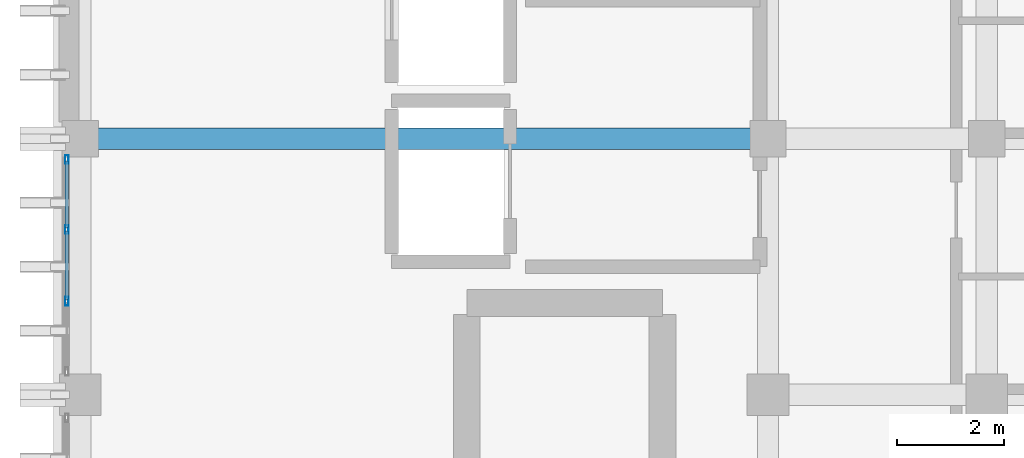
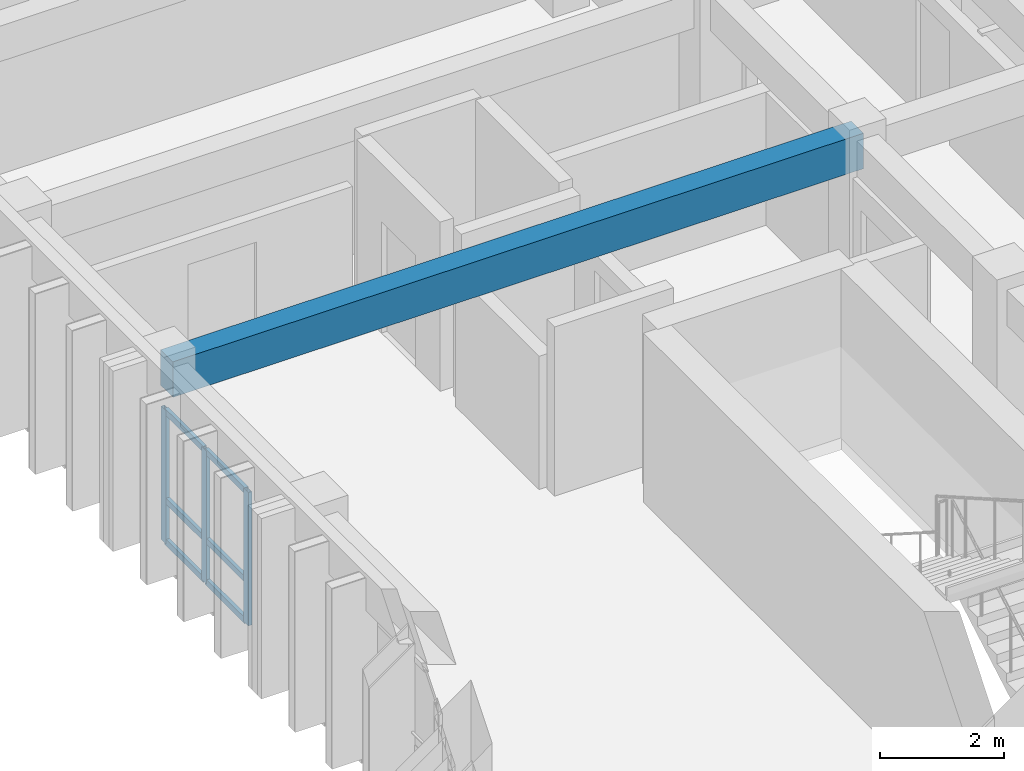
# One storey, part 34 of 68: 9 members, 1 beam, 1 element without a shape of its own.
"""IFC4 building model written with IfcOpenShell, lengths in metres."""

from ifc_helpers import new_model, si_unit, direction, frame, origin, origin_2d, place, context, subcontext, project, spatial, rectangle, hollow_rectangle, extrude, material, layer, layer_set, material_profile, profile_set, type_object, element, aggregate, save


model = new_model("IFC4")

# Units and contexts
model_context = context("Model", 3, precision=1e-05, world=origin(), true_north=direction((0.0, 1.0)))
body_context = subcontext(model_context, "Body", "Model", "MODEL_VIEW")
ifc_project = project(units=[si_unit("LENGTHUNIT", "METRE"), si_unit("AREAUNIT", "SQUARE_METRE"), si_unit("VOLUMEUNIT", "CUBIC_METRE"), si_unit("PLANEANGLEUNIT", "RADIAN"), si_unit("MASSUNIT", "GRAM", prefix="KILO")], contexts=[model_context])

# Site, building, storey
site_placement = place(None, origin())
site = spatial("IfcSite", under=ifc_project, at=site_placement, CompositionType="ELEMENT")
building_placement = place(site_placement, origin())
building = spatial("IfcBuilding", under=site, at=building_placement, Name="Nakhvara Creek Congress Hotel", CompositionType="ELEMENT")
storey_placement = place(building_placement, frame((0.0, 0.0, 24.60009765625)))
storey = spatial("IfcBuildingStorey", under=building, at=storey_placement, Name="L05", CompositionType="ELEMENT", Elevation=24.60009765625)

# Beam
ifc_material_1 = material(Name="Concrete C40/50", Category="concrete")
ifc_material_profile_1 = material_profile(ifc_material_1, rectangle(XDim=0.39990234375, YDim=0.699951171875, at=origin_2d()), Name="RC-BM 400x700", Category="LoadBearing")
ifc_profile_set_1 = profile_set([ifc_material_profile_1], Name="Concrete C40/50")
beam_type = type_object("IfcBeamType", Name="BM-RC-400X700", PredefinedType="BEAM", material=ifc_profile_set_1)
beam_placement = place(storey_placement, frame((149.449951171875, 91.199951171875, 2.989990234375), z_axis=(1.0, 0.0, 0.0), x_axis=(0.0, 1.0, 0.0)))
element("IfcBeam", 1, at=beam_placement, inside=storey, type_object=beam_type, Name="Beam B05-L05-2172", PredefinedType="BEAM", context=body_context, shape_type="SweptSolid", body=[
    extrude(rectangle(XDim=0.39990234375, YDim=0.699951171875, at=origin_2d()), origin(), (0.0, 0.0, 1.0), 12.900146484375),
])

# Curtain wall, members
ifc_material_2 = material(Name="Bronze-anodised aluminium AW-6063-T6 and double-silver low-E glass", Category="aluminium")
ifc_layer = layer(ifc_material_2, 0.199951171875)
ifc_layer_set = layer_set([ifc_layer], Name="Bronze-anodised aluminium AW-6063-T6 and double-silver low-E glass")
curtain_wall_type = type_object("IfcCurtainWallType", Name="CW-HTL-UNIT", PredefinedType="USERDEFINED", material=ifc_layer_set)
curtain_wall_placement = place(storey_placement, origin())
curtain_wall = element("IfcCurtainWall", 2, at=curtain_wall_placement, inside=storey, type_object=curtain_wall_type, Name="Curtain Wall CW219", ObjectType="UNITISED", PredefinedType="USERDEFINED")
ifc_material_3 = material(Name="Bronze-anodised aluminium AW-6063-T6", Category="aluminium")
ifc_material_profile_2 = material_profile(ifc_material_3, hollow_rectangle(XDim=0.06494140625, YDim=0.159912109375, WallThickness=0.00390625, at=origin_2d()), Name="ALU-MULL 65x160x4", Category="LoadBearing")
ifc_profile_set_2 = profile_set([ifc_material_profile_2], Name="Bronze-anodised aluminium AW-6063-T6")
member_type_1 = type_object("IfcMemberType", Name="CW-MULL-160", PredefinedType="MULLION", material=ifc_profile_set_2)
member_1_placement = place(storey_placement, frame((149.199951171875, 88.151611328125, 0.0), z_axis=(0.0, 0.0, 1.0), x_axis=(-1.0, 0.0, 0.0)))
member_1 = element("IfcMember", 3, at=member_1_placement, type_object=member_type_1, Name="CW219 mullion 2", PredefinedType="MULLION", context=body_context, shape_type="SweptSolid", body=[
    extrude(hollow_rectangle(XDim=0.06494140625, YDim=0.159912109375, WallThickness=0.00390625, at=origin_2d()), origin(), (0.0, 0.0, 1.0), 2.6318359375),
])
member_2_placement = place(storey_placement, frame((149.199951171875, 89.498291015625, 0.0), z_axis=(0.0, 0.0, 1.0), x_axis=(-1.0, 0.0, 0.0)))
member_2 = element("IfcMember", 4, at=member_2_placement, type_object=member_type_1, Name="CW219 mullion 3", PredefinedType="MULLION", context=body_context, shape_type="SweptSolid", body=[
    extrude(hollow_rectangle(XDim=0.06494140625, YDim=0.159912109375, WallThickness=0.00390625, at=origin_2d()), origin(), (0.0, 0.0, 1.0), 2.6318359375),
])
member_3_placement = place(storey_placement, frame((149.199951171875, 90.8125, 0.0), z_axis=(0.0, 0.0, 1.0), x_axis=(-1.0, 0.0, 0.0)))
member_3 = element("IfcMember", 5, at=member_3_placement, type_object=member_type_1, Name="CW219 mullion 4", PredefinedType="MULLION", context=body_context, shape_type="SweptSolid", body=[
    extrude(hollow_rectangle(XDim=0.06494140625, YDim=0.159912109375, WallThickness=0.00390625, at=origin_2d()), origin(), (0.0, 0.0, 1.0), 2.6318359375),
])
ifc_material_profile_3 = material_profile(ifc_material_3, hollow_rectangle(XDim=0.06494140625, YDim=0.1201171875, WallThickness=0.00390625, at=origin_2d()), Name="ALU-TRAN 65x120x4", Category="LoadBearing")
ifc_profile_set_3 = profile_set([ifc_material_profile_3], Name="Bronze-anodised aluminium AW-6063-T6")
member_type_2 = type_object("IfcMemberType", Name="CW-TRAN-120", PredefinedType="USERDEFINED", material=ifc_profile_set_3)
member_4_placement = place(storey_placement, frame((149.199951171875, 88.18408203125, 0.032470703125), z_axis=(0.0, 1.0, 0.0), x_axis=(-1.0, 0.0, 0.0)))
member_4 = element("IfcMember", 6, at=member_4_placement, type_object=member_type_2, Name="CW219 transom 2.1", ObjectType="TRANSOM", PredefinedType="USERDEFINED", context=body_context, shape_type="SweptSolid", body=[
    extrude(hollow_rectangle(XDim=0.06494140625, YDim=0.1201171875, WallThickness=0.00390625, at=origin_2d()), origin(), (0.0, 0.0, 1.0), 1.28173828125),
])
member_5_placement = place(storey_placement, frame((149.199951171875, 88.18408203125, 0.849853515625), z_axis=(0.0, 1.0, 0.0), x_axis=(-1.0, 0.0, 0.0)))
member_5 = element("IfcMember", 7, at=member_5_placement, type_object=member_type_2, Name="CW219 transom 2.2", ObjectType="TRANSOM", PredefinedType="USERDEFINED", context=body_context, shape_type="SweptSolid", body=[
    extrude(hollow_rectangle(XDim=0.06494140625, YDim=0.1201171875, WallThickness=0.00390625, at=origin_2d()), origin(), (0.0, 0.0, 1.0), 1.28173828125),
])
member_6_placement = place(storey_placement, frame((149.199951171875, 88.18408203125, 2.599365234375), z_axis=(0.0, 1.0, 0.0), x_axis=(-1.0, 0.0, 0.0)))
member_6 = element("IfcMember", 8, at=member_6_placement, type_object=member_type_2, Name="CW219 transom 2.3", ObjectType="TRANSOM", PredefinedType="USERDEFINED", context=body_context, shape_type="SweptSolid", body=[
    extrude(hollow_rectangle(XDim=0.06494140625, YDim=0.1201171875, WallThickness=0.00390625, at=origin_2d()), origin(), (0.0, 0.0, 1.0), 1.28173828125),
])
member_7_placement = place(storey_placement, frame((149.199951171875, 89.53076171875, 0.032470703125), z_axis=(0.0, 1.0, 0.0), x_axis=(-1.0, 0.0, 0.0)))
member_7 = element("IfcMember", 9, at=member_7_placement, type_object=member_type_2, Name="CW219 transom 3.1", ObjectType="TRANSOM", PredefinedType="USERDEFINED", context=body_context, shape_type="SweptSolid", body=[
    extrude(hollow_rectangle(XDim=0.06494140625, YDim=0.1201171875, WallThickness=0.00390625, at=origin_2d()), origin(), (0.0, 0.0, 1.0), 1.249267578125),
])
member_8_placement = place(storey_placement, frame((149.199951171875, 89.53076171875, 0.849853515625), z_axis=(0.0, 1.0, 0.0), x_axis=(-1.0, 0.0, 0.0)))
member_8 = element("IfcMember", 10, at=member_8_placement, type_object=member_type_2, Name="CW219 transom 3.2", ObjectType="TRANSOM", PredefinedType="USERDEFINED", context=body_context, shape_type="SweptSolid", body=[
    extrude(hollow_rectangle(XDim=0.06494140625, YDim=0.1201171875, WallThickness=0.00390625, at=origin_2d()), origin(), (0.0, 0.0, 1.0), 1.249267578125),
])
member_9_placement = place(storey_placement, frame((149.199951171875, 89.53076171875, 2.599365234375), z_axis=(0.0, 1.0, 0.0), x_axis=(-1.0, 0.0, 0.0)))
member_9 = element("IfcMember", 11, at=member_9_placement, type_object=member_type_2, Name="CW219 transom 3.3", ObjectType="TRANSOM", PredefinedType="USERDEFINED", context=body_context, shape_type="SweptSolid", body=[
    extrude(hollow_rectangle(XDim=0.06494140625, YDim=0.1201171875, WallThickness=0.00390625, at=origin_2d()), origin(), (0.0, 0.0, 1.0), 1.249267578125),
])
aggregate(curtain_wall, [member_1, member_2, member_3, member_4, member_5, member_6, member_7, member_8, member_9])

save(model, "model.ifc")
